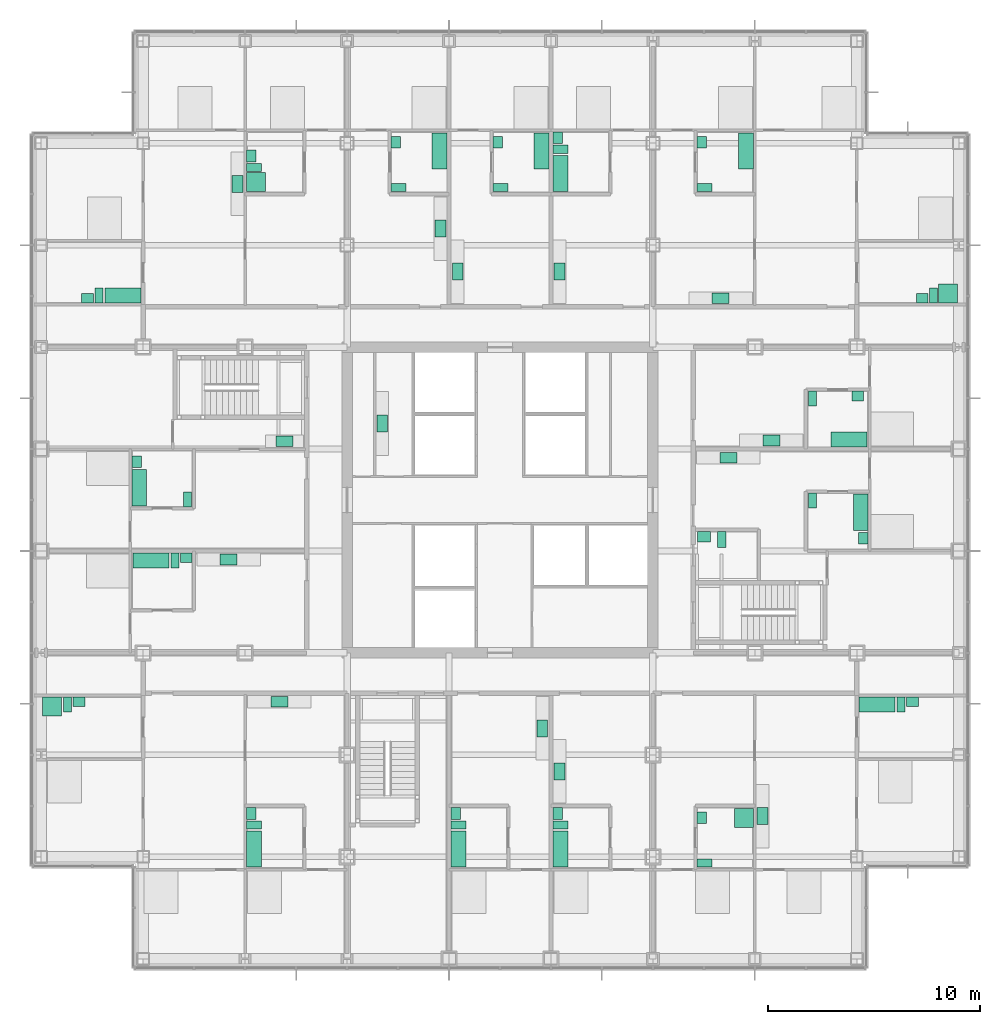
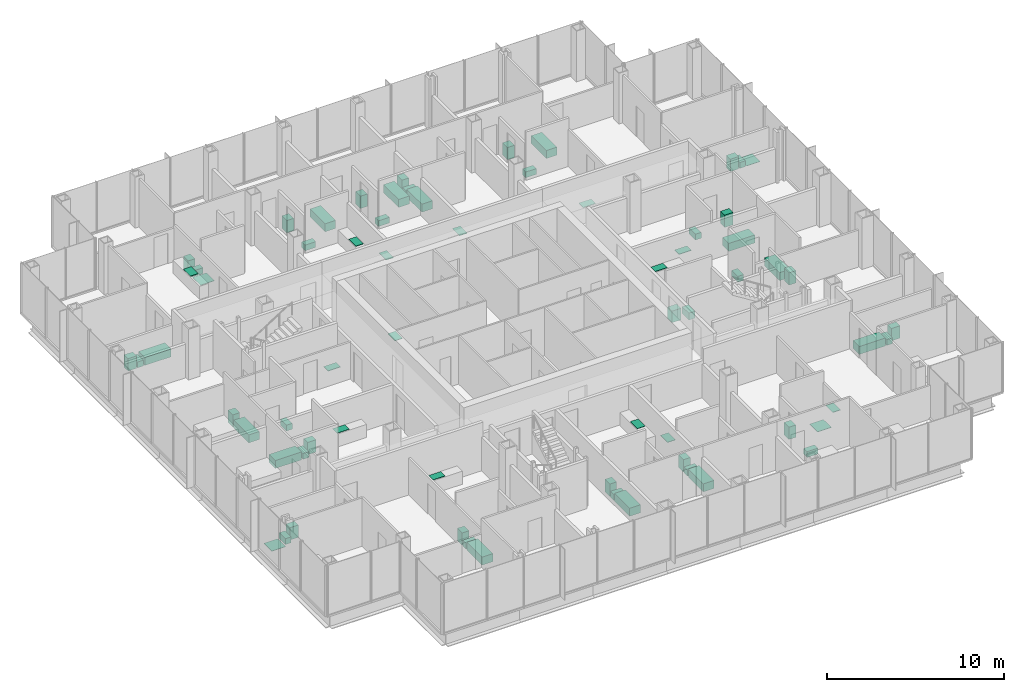
# One storey, part 20 of 21: 67 sanitary terminals.
"""IFC4 building model written with IfcOpenShell, lengths in metres."""

from ifc_helpers import new_model, si_unit, direction, frame, origin, origin_2d, place, context, subcontext, project, spatial, rectangle, extrude, material, type_object, element, save


model = new_model("IFC4")

# Units and contexts
model_context = context("Model", 3, precision=1e-05, world=origin(), true_north=direction((0.0, 1.0)))
body_context = subcontext(model_context, "Body", "Model", "MODEL_VIEW")
ifc_project = project(units=[si_unit("LENGTHUNIT", "METRE"), si_unit("AREAUNIT", "SQUARE_METRE"), si_unit("VOLUMEUNIT", "CUBIC_METRE"), si_unit("PLANEANGLEUNIT", "RADIAN"), si_unit("MASSUNIT", "GRAM", prefix="KILO")], contexts=[model_context])

# Site, building, storey
site_placement = place(None, origin())
site = spatial("IfcSite", under=ifc_project, at=site_placement, CompositionType="ELEMENT")
building_placement = place(site_placement, origin())
building = spatial("IfcBuilding", under=site, at=building_placement, Name="Kvirike Care Tower", CompositionType="ELEMENT")
storey_placement = place(building_placement, frame((0.0, 0.0, 51.5)))
storey = spatial("IfcBuildingStorey", under=building, at=storey_placement, Name="L13", CompositionType="ELEMENT", Elevation=51.5)

# Sanitary terminals
ifc_material_1 = material(Name="Vitreous china", Category="ceramic")
sanitary_terminal_type_1 = type_object("IfcSanitaryTerminalType", Name="ACCESSIBLE WASH BASIN 600 x 500", PredefinedType="WASHHANDBASIN", material=ifc_material_1)
sanitary_terminal_1_placement = place(storey_placement, frame((31.199951171875, 34.27294921875, 0.02001953125), z_axis=(0.0, 0.0, 1.0), x_axis=(1.0, 0.0, 0.0)))
element("IfcSanitaryTerminal", 1, at=sanitary_terminal_1_placement, inside=storey, type_object=sanitary_terminal_type_1, Name="Accessible wash basin L13-058", PredefinedType="WASHHANDBASIN", context=body_context, shape_type="SweptSolid", body=[
    extrude(rectangle(XDim=0.60009765625, YDim=0.5, at=origin_2d()), origin(), (0.0, 0.0, 1.0), 0.800048828125),
])
ifc_material_2 = material(Name="Vitreous china", Category="ceramic")
sanitary_terminal_type_2 = type_object("IfcSanitaryTerminalType", Name="ACCESSIBLE WC PAN 400 x 750", PredefinedType="TOILETPAN", material=ifc_material_2)
sanitary_terminal_2_placement = place(storey_placement, frame((32.050048828125, 34.14794921875, 0.02001953125), z_axis=(0.0, 0.0, 1.0), x_axis=(1.0, 0.0, 0.0)))
element("IfcSanitaryTerminal", 2, at=sanitary_terminal_2_placement, inside=storey, type_object=sanitary_terminal_type_2, Name="Accessible WC pan L13-058", PredefinedType="TOILETPAN", context=body_context, shape_type="SweptSolid", body=[
    extrude(rectangle(XDim=0.39990234375, YDim=0.75, at=origin_2d()), origin(), (0.0, 0.0, 1.0), 0.47998046875),
])
ifc_material_3 = material(Name="Enamelled steel", Category="steel")
sanitary_terminal_type_3 = type_object("IfcSanitaryTerminalType", Name="BATH 1700 x 700", PredefinedType="BATH", material=ifc_material_3)
for number, where, z_axis, x_axis, name in (
    (3, (10.011962890625, 19.56005859375, 0.02001953125), (0.0, 0.0, 1.0), (0.0, 1.0, 0.0), "Bath L13-006"),
    (4, (4.612060546875, 36.574951171875, 0.02001953125), (0.0, 0.0, 1.0), (0.0, 1.0, 0.0), "Bath L13-013"),
    (5, (5.159912109375, 33.14794921875, 0.02001953125), (0.0, 0.0, 1.0), (1.0, 0.0, 0.0), "Bath L13-017"),
    (6, (3.85009765625, 45.626953125, 0.02001953125), (0.0, 0.0, 1.0), (-1.0, 0.0, 0.0), "Bath L13-024"),
    (7, (19.652099609375, 19.56005859375, 0.02001953125), (0.0, 0.0, 1.0), (0.0, 1.0, 0.0), "Bath L13-031"),
    (8, (24.451904296875, 19.56005859375, 0.02001953125), (0.0, 0.0, 1.0), (0.0, 1.0, 0.0), "Bath L13-034"),
    (9, (24.451904296875, 51.375, 0.02001953125), (0.0, 0.0, 1.0), (0.0, 1.0, 0.0), "Bath L13-038"),
    (10, (23.548095703125, 52.43994140625, 0.02001953125), (0.0, 0.0, 1.0), (0.0, -1.0, 0.0), "Bath L13-041"),
    (11, (18.748046875, 52.43994140625, 0.02001953125), (0.0, 0.0, 1.0), (0.0, -1.0, 0.0), "Bath L13-044"),
    (12, (39.35009765625, 26.373046875, 0.02001953125), (0.0, 0.0, 1.0), (1.0, 0.0, 0.0), "Bath L13-051"),
    (13, (38.587890625, 35.425048828125, 0.02001953125), (0.0, 0.0, 1.0), (0.0, -1.0, 0.0), "Bath L13-059"),
    (14, (38.0400390625, 38.85205078125, 0.02001953125), (0.0, 0.0, 1.0), (-1.0, 0.0, 0.0), "Bath L13-062"),
    (15, (33.18798828125, 52.43994140625, 0.02001953125), (0.0, 0.0, 1.0), (0.0, -1.0, 0.0), "Bath L13-069"),
):
    element("IfcSanitaryTerminal", number, at=place(storey_placement, frame(where, z_axis=z_axis, x_axis=x_axis)), inside=storey, type_object=sanitary_terminal_type_3, Name=name, PredefinedType="BATH", context=body_context, shape_type="SweptSolid", body=[
        extrude(rectangle(XDim=1.699951171875, YDim=0.699951171875, at=origin_2d()), origin(), (0.0, 0.0, 1.0), 0.550048828125),
    ])
ifc_material_4 = material(Name="Stainless steel", Category="steel")
sanitary_terminal_type_4 = type_object("IfcSanitaryTerminalType", Name="KITCHEN SINK 800 x 500", PredefinedType="SINK", material=ifc_material_4)
for number, where, z_axis, x_axis, name in (
    (16, (11.2099609375, 26.498046875, 0.89990234375), (0.0, 0.0, 1.0), (1.0, 0.0, 0.0), "Kitchen sink L13-008"),
    (17, (11.449951171875, 38.761962890625, 0.89990234375), (0.0, 0.0, 1.0), (-1.0, 0.0, 0.0), "Kitchen sink L13-014"),
    (18, (8.824951171875, 33.197998046875, 0.89990234375), (0.0, 0.0, 1.0), (1.0, 0.0, 0.0), "Kitchen sink L13-018"),
    (19, (9.238037109375, 50.889892578125, 0.89990234375), (0.0, 0.0, 1.0), (0.0, -1.0, 0.0), "Kitchen sink L13-026"),
    (20, (23.597900390625, 25.25, 0.89990234375), (0.0, 0.0, 1.0), (0.0, -1.0, 0.0), "Kitchen sink L13-032"),
    (21, (24.402099609375, 23.22509765625, 0.89990234375), (0.0, 0.0, 1.0), (0.0, 1.0, 0.0), "Kitchen sink L13-035"),
    (22, (24.402099609375, 46.75, 0.89990234375), (0.0, 0.0, 1.0), (0.0, 1.0, 0.0), "Kitchen sink L13-039"),
    (23, (19.60205078125, 46.75, 0.89990234375), (0.0, 0.0, 1.0), (0.0, 1.0, 0.0), "Kitchen sink L13-042"),
    (24, (18.798095703125, 48.77490234375, 0.89990234375), (0.0, 0.0, 1.0), (0.0, -1.0, 0.0), "Kitchen sink L13-045"),
    (25, (33.9619140625, 21.110107421875, 0.89990234375), (0.0, 0.0, 1.0), (0.0, 1.0, 0.0), "Kitchen sink L13-053"),
    (26, (32.35009765625, 37.998046875, 0.89990234375), (0.0, 0.0, 1.0), (1.0, 0.0, 0.0), "Kitchen sink L13-060"),
    (27, (34.375, 38.802001953125, 0.89990234375), (0.0, 0.0, 1.0), (-1.0, 0.0, 0.0), "Kitchen sink L13-063"),
    (28, (31.989990234375, 45.501953125, 0.89990234375), (0.0, 0.0, 1.0), (-1.0, 0.0, 0.0), "Kitchen sink L13-071"),
    (29, (16.052001953125, 39.60009765625, 0.89990234375), (0.0, 0.0, 1.0), (0.0, 1.0, 0.0), "Kitchen sink L13-078"),
):
    element("IfcSanitaryTerminal", number, at=place(storey_placement, frame(where, z_axis=z_axis, x_axis=x_axis)), inside=storey, type_object=sanitary_terminal_type_4, Name=name, PredefinedType="SINK", context=body_context, shape_type="SweptSolid", body=[
        extrude(rectangle(XDim=0.800048828125, YDim=0.5, at=origin_2d()), origin(), (0.0, 0.0, 1.0), 0.030029296875),
    ])
ifc_material_5 = material(Name="Stainless steel", Category="steel")
sanitary_terminal_type_5 = type_object("IfcSanitaryTerminalType", Name="LEVEL-ACCESS SHOWER 900 x 900", PredefinedType="SHOWER", material=ifc_material_5)
for number, where, z_axis, x_axis, name in (
    (30, (0.5, 26.27294921875, 0.02001953125), (0.0, 0.0, 1.0), (1.0, 0.0, 0.0), "Level-access shower L13-005"),
    (31, (10.112060546875, 50.97509765625, 0.02001953125), (0.0, 0.0, 1.0), (0.0, 1.0, 0.0), "Level-access shower L13-023"),
    (32, (33.087890625, 21.02490234375, 0.02001953125), (0.0, 0.0, 1.0), (0.0, -1.0, 0.0), "Level-access shower L13-050"),
    (33, (42.699951171875, 45.72705078125, 0.02001953125), (0.0, 0.0, 1.0), (-1.0, 0.0, 0.0), "Level-access shower L13-068"),
):
    element("IfcSanitaryTerminal", number, at=place(storey_placement, frame(where, z_axis=z_axis, x_axis=x_axis)), inside=storey, type_object=sanitary_terminal_type_5, Name=name, PredefinedType="SHOWER", context=body_context, shape_type="SweptSolid", body=[
        extrude(rectangle(XDim=0.89990234375, YDim=0.89990234375, at=origin_2d()), origin(), (0.0, 0.0, 1.0), 0.02001953125),
    ])
ifc_material_6 = material(Name="Vitreous china", Category="ceramic")
sanitary_terminal_type_6 = type_object("IfcSanitaryTerminalType", Name="WASH BASIN 550 x 450", PredefinedType="WASHHANDBASIN", material=ifc_material_6)
for number, where, z_axis, x_axis, name in (
    (34, (1.77490234375, 26.498046875, 0.02001953125), (0.0, 0.0, 1.0), (1.0, 0.0, 0.0), "Wash basin L13-005"),
    (35, (9.886962890625, 21.235107421875, 0.02001953125), (0.0, 0.0, 1.0), (0.0, 1.0, 0.0), "Wash basin L13-006"),
    (36, (4.487060546875, 37.800048828125, 0.02001953125), (0.0, 0.0, 1.0), (0.0, 1.0, 0.0), "Wash basin L13-013"),
    (37, (6.8349609375, 33.27294921875, 0.02001953125), (0.0, 0.0, 1.0), (1.0, 0.0, 0.0), "Wash basin L13-017"),
    (38, (9.886962890625, 52.199951171875, 0.02001953125), (0.0, 0.0, 1.0), (0.0, 1.0, 0.0), "Wash basin L13-023"),
    (39, (2.175048828125, 45.501953125, 0.02001953125), (0.0, 0.0, 1.0), (-1.0, 0.0, 0.0), "Wash basin L13-024"),
    (40, (19.527099609375, 21.235107421875, 0.02001953125), (0.0, 0.0, 1.0), (0.0, 1.0, 0.0), "Wash basin L13-031"),
    (41, (24.326904296875, 21.235107421875, 0.02001953125), (0.0, 0.0, 1.0), (0.0, 1.0, 0.0), "Wash basin L13-034"),
    (42, (24.326904296875, 53.050048828125, 0.02001953125), (0.0, 0.0, 1.0), (0.0, 1.0, 0.0), "Wash basin L13-038"),
    (43, (21.501953125, 52.85009765625, 0.02001953125), (0.0, 0.0, 1.0), (0.0, 1.0, 0.0), "Wash basin L13-041"),
    (44, (16.701904296875, 52.85009765625, 0.02001953125), (0.0, 0.0, 1.0), (0.0, 1.0, 0.0), "Wash basin L13-044"),
    (45, (31.10205078125, 21.034912109375, 0.02001953125), (0.0, 0.0, 1.0), (0.0, 1.0, 0.0), "Wash basin L13-050"),
    (46, (41.02490234375, 26.498046875, 0.02001953125), (0.0, 0.0, 1.0), (1.0, 0.0, 0.0), "Wash basin L13-051"),
    (47, (38.712890625, 34.199951171875, 0.02001953125), (0.0, 0.0, 1.0), (0.0, -1.0, 0.0), "Wash basin L13-059"),
    (48, (38.449951171875, 40.89794921875, 0.02001953125), (0.0, 0.0, 1.0), (1.0, 0.0, 0.0), "Wash basin L13-062"),
    (49, (41.47509765625, 45.501953125, 0.02001953125), (0.0, 0.0, 1.0), (-1.0, 0.0, 0.0), "Wash basin L13-068"),
    (50, (31.10205078125, 52.85009765625, 0.02001953125), (0.0, 0.0, 1.0), (0.0, 1.0, 0.0), "Wash basin L13-069"),
):
    element("IfcSanitaryTerminal", number, at=place(storey_placement, frame(where, z_axis=z_axis, x_axis=x_axis)), inside=storey, type_object=sanitary_terminal_type_6, Name=name, PredefinedType="WASHHANDBASIN", context=body_context, shape_type="SweptSolid", body=[
        extrude(rectangle(XDim=0.550048828125, YDim=0.449951171875, at=origin_2d()), origin(), (0.0, 0.0, 1.0), 0.85009765625),
    ])
ifc_material_7 = material(Name="Vitreous china", Category="ceramic")
sanitary_terminal_type_7 = type_object("IfcSanitaryTerminalType", Name="WC PAN 380 x 700", PredefinedType="TOILETPAN", material=ifc_material_7)
for number, where, z_axis, x_axis, name in (
    (51, (1.239990234375, 26.373046875, 0.02001953125), (0.0, 0.0, 1.0), (1.0, 0.0, 0.0), "WC pan L13-005"),
    (52, (10.011962890625, 20.699951171875, 0.02001953125), (0.0, 0.0, 1.0), (0.0, 1.0, 0.0), "WC pan L13-006"),
    (53, (6.885009765625, 36.027099609375, 0.02001953125), (0.0, 0.0, 1.0), (-1.0, 0.0, 0.0), "WC pan L13-013"),
    (54, (6.300048828125, 33.14794921875, 0.02001953125), (0.0, 0.0, 1.0), (1.0, 0.0, 0.0), "WC pan L13-017"),
    (55, (10.011962890625, 51.6650390625, 0.02001953125), (0.0, 0.0, 1.0), (0.0, 1.0, 0.0), "WC pan L13-023"),
    (56, (2.7099609375, 45.626953125, 0.02001953125), (0.0, 0.0, 1.0), (-1.0, 0.0, 0.0), "WC pan L13-024"),
    (57, (19.652099609375, 20.699951171875, 0.02001953125), (0.0, 0.0, 1.0), (0.0, 1.0, 0.0), "WC pan L13-031"),
    (58, (24.451904296875, 20.699951171875, 0.02001953125), (0.0, 0.0, 1.0), (0.0, 1.0, 0.0), "WC pan L13-034"),
    (59, (24.451904296875, 52.514892578125, 0.02001953125), (0.0, 0.0, 1.0), (0.0, 1.0, 0.0), "WC pan L13-038"),
    (60, (21.626953125, 50.715087890625, 0.02001953125), (0.0, 0.0, 1.0), (0.0, 1.0, 0.0), "WC pan L13-041"),
    (61, (16.826904296875, 50.715087890625, 0.02001953125), (0.0, 0.0, 1.0), (0.0, 1.0, 0.0), "WC pan L13-044"),
    (62, (31.22705078125, 18.89990234375, 0.02001953125), (0.0, 0.0, 1.0), (0.0, 1.0, 0.0), "WC pan L13-050"),
    (63, (40.489990234375, 26.373046875, 0.02001953125), (0.0, 0.0, 1.0), (1.0, 0.0, 0.0), "WC pan L13-051"),
    (64, (36.31494140625, 35.972900390625, 0.02001953125), (0.0, 0.0, 1.0), (1.0, 0.0, 0.0), "WC pan L13-059"),
    (65, (36.31494140625, 40.77294921875, 0.02001953125), (0.0, 0.0, 1.0), (1.0, 0.0, 0.0), "WC pan L13-062"),
    (66, (42.010009765625, 45.626953125, 0.02001953125), (0.0, 0.0, 1.0), (-1.0, 0.0, 0.0), "WC pan L13-068"),
    (67, (31.22705078125, 50.715087890625, 0.02001953125), (0.0, 0.0, 1.0), (0.0, 1.0, 0.0), "WC pan L13-069"),
):
    element("IfcSanitaryTerminal", number, at=place(storey_placement, frame(where, z_axis=z_axis, x_axis=x_axis)), inside=storey, type_object=sanitary_terminal_type_7, Name=name, PredefinedType="TOILETPAN", context=body_context, shape_type="SweptSolid", body=[
        extrude(rectangle(XDim=0.3798828125, YDim=0.699951171875, at=origin_2d()), origin(), (0.0, 0.0, 1.0), 0.39990234375),
    ])

save(model, "model.ifc")
